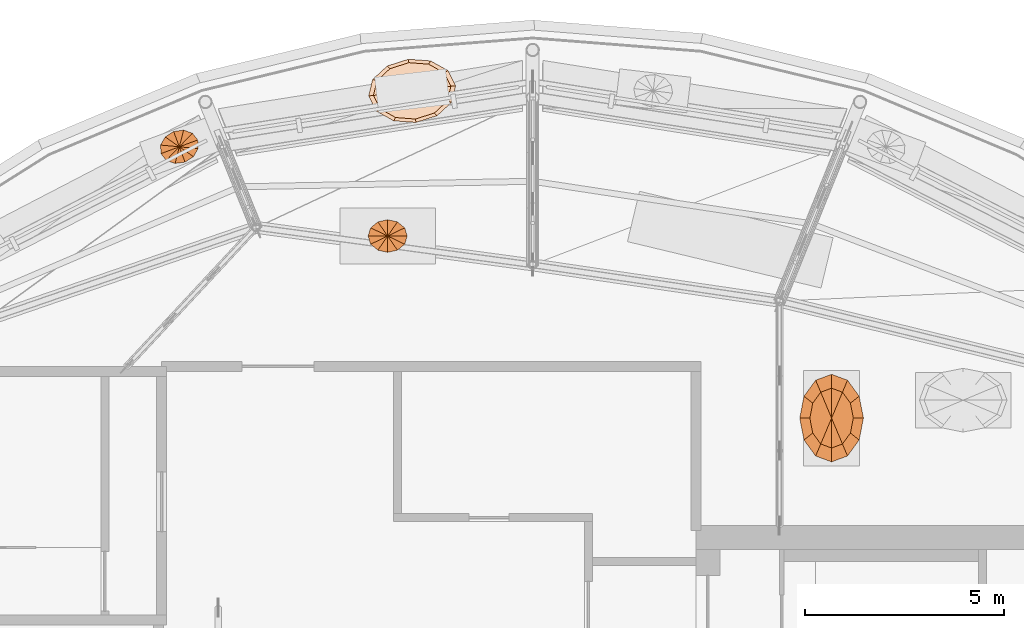
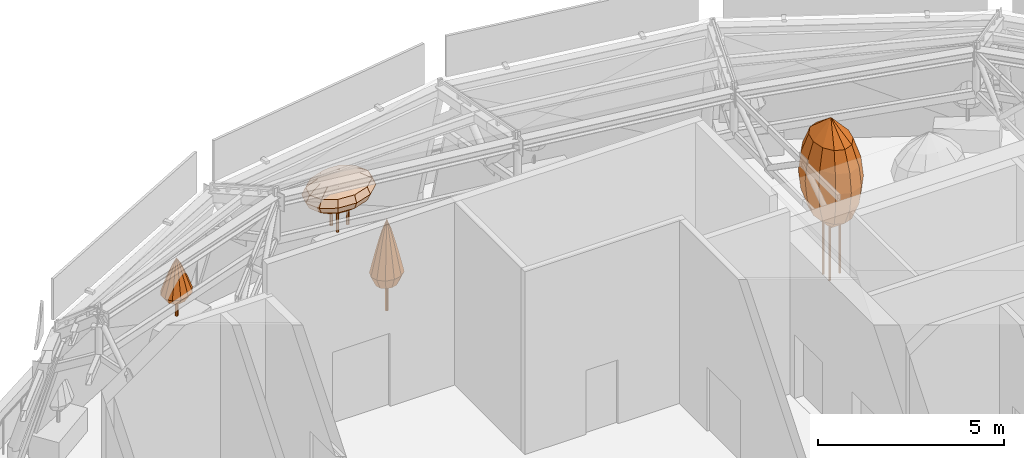
# One storey, part 38 of 40: 4 geographic elements.
"""IFC4 building model written with IfcOpenShell, lengths in metres."""

import ifcopenshell
import ifcopenshell.guid

model = None  # the IFC model being written
_history = None  # IfcOwnerHistory: only IFC2X3 demands one
_inside = {}  # id of a spatial element -> (the spatial element, [elements in it])
_under = {}  # id of a project, library or spatial element -> (it, [spatial elements below it])
_declared = {}  # id of a project -> (the project, [libraries it declares])
_typed = {}  # id of a type object -> (the type object, [elements of that type])
_made_of = {}  # id of a material, layer set ... -> (it, [elements and type objects made of it])


def new_model(schema):
    """Start an empty IFC model of exactly this schema.

    Asked for "IFC4X3", IfcOpenShell would pick the latest addendum, in which some entities
    have other attributes; the version numbers below select the first issue.
    IFC2X3 requires an IfcOwnerHistory on every rooted entity: one is made here for all.
    """
    global model, _history
    if schema == "IFC4X3":
        model = ifcopenshell.file(schema_version=(4, 3, 0, 0))
    else:
        model = ifcopenshell.file(schema=schema)
    _inside.clear()
    _under.clear()
    _declared.clear()
    _typed.clear()
    _made_of.clear()
    _history = None
    if model.schema == "IFC2X3":
        org = make("IfcOrganization", Name="unknown")
        user = make(
            "IfcPersonAndOrganization",
            ThePerson=make("IfcPerson", FamilyName="unknown"),
            TheOrganization=org,
        )
        app = make(
            "IfcApplication",
            ApplicationDeveloper=org,
            Version="unknown",
            ApplicationFullName="unknown",
            ApplicationIdentifier="unknown",
        )
        _history = make(
            "IfcOwnerHistory",
            OwningUser=user,
            OwningApplication=app,
            ChangeAction="ADDED",
            CreationDate=0,
        )
    return model


def make(cls, **values):
    """One entity of the class cls with the attributes given. An attribute that is None is left unset."""
    return model.create_entity(
        cls, **{name: value for name, value in values.items() if value is not None}
    )


def rooted(cls, **values):
    """An entity with a GlobalId (a new one), such as an element, a storey or a relation."""
    return make(cls, GlobalId=ifcopenshell.guid.new(), OwnerHistory=_history, **values)


def si_unit(unit_type, name, prefix=None):
    """IfcSIUnit, for example si_unit("LENGTHUNIT", "METRE", prefix="MILLI")."""
    return make("IfcSIUnit", UnitType=unit_type, Prefix=prefix, Name=name)


def assignment(units):
    """IfcUnitAssignment: the units of a project."""
    return None if units is None else make("IfcUnitAssignment", Units=units)


def point(xyz):
    """IfcCartesianPoint."""
    return None if xyz is None else make("IfcCartesianPoint", Coordinates=xyz)


def direction(xyz):
    """IfcDirection."""
    return None if xyz is None else make("IfcDirection", DirectionRatios=xyz)


def frame(location, z_axis=None, x_axis=None):
    """IfcAxis2Placement3D, a coordinate frame: its origin and axes. An axis left out is left unset."""
    return make(
        "IfcAxis2Placement3D",
        Location=point(location),
        Axis=direction(z_axis),
        RefDirection=direction(x_axis),
    )


def origin():
    """The frame at (0, 0, 0) with its axes left unset."""
    return frame((0.0, 0.0, 0.0))


def place(relative_to, where):
    """IfcLocalPlacement: puts the frame where relative to a parent placement (None: the world)."""
    return make(
        "IfcLocalPlacement", PlacementRelTo=relative_to, RelativePlacement=where
    )


def context(
    kind, dimensions, precision=None, world=None, true_north=None, identifier=None
):
    """IfcGeometricRepresentationContext, for example the 3D "Model" context."""
    return make(
        "IfcGeometricRepresentationContext",
        ContextIdentifier=identifier,
        ContextType=kind,
        CoordinateSpaceDimension=dimensions,
        Precision=precision,
        WorldCoordinateSystem=world,
        TrueNorth=true_north,
    )


def subcontext(parent, identifier, kind, view, scale=None):
    """IfcGeometricRepresentationSubContext, for example "Body" below "Model"."""
    return make(
        "IfcGeometricRepresentationSubContext",
        ContextIdentifier=identifier,
        ContextType=kind,
        ParentContext=parent,
        TargetScale=scale,
        TargetView=view,
    )


def project(units=None, contexts=None):
    """IfcProject with its units and contexts."""
    return rooted(
        "IfcProject",
        Name="project",
        RepresentationContexts=contexts,
        UnitsInContext=assignment(units),
    )


def spatial(cls, under=None, at=None, **own):
    """A site, building, storey or space (cls), placed at a placement, below another one or the project."""
    s = rooted(cls, ObjectPlacement=at, **own)
    if under is not None:
        _under.setdefault(under.id(), (under, []))[1].append(s)
    return s


def faces_of(points, faces, orient=None, outer=None):
    """IfcFace entities. A face is a list of loops; a loop is a list of indices into points, from 0.

    orient and outer hold one flag for each loop. By default every Orientation is true, the
    first loop of a face is its IfcFaceOuterBound and the others are IfcFaceBound.
    """
    made = []
    for i, loops in enumerate(faces):
        bounds = []
        for j, loop in enumerate(loops):
            is_outer = j == 0 if outer is None else outer[i][j]
            bounds.append(
                make(
                    "IfcFaceOuterBound" if is_outer else "IfcFaceBound",
                    Bound=make("IfcPolyLoop", Polygon=[points[k] for k in loop]),
                    Orientation=True if orient is None else orient[i][j],
                )
            )
        made.append(make("IfcFace", Bounds=bounds))
    return made


def faceted_brep(points, faces, orient=None, outer=None, voids=None):
    """IfcFacetedBrep: a solid bounded by flat faces; with voids (closed shells), ...WithVoids."""
    shared = [point(p) for p in points]
    hull = make("IfcClosedShell", CfsFaces=faces_of(shared, faces, orient, outer))
    if voids is None:
        return make("IfcFacetedBrep", Outer=hull)
    return make(
        "IfcFacetedBrepWithVoids",
        Outer=hull,
        Voids=[
            make(cls, CfsFaces=faces_of(shared, fs, o, b)) for cls, fs, o, b in voids
        ],
    )


def shape(context_of_items, identifier, shape_type, items):
    """IfcShapeRepresentation: the items that make up one representation, for example the "Body"."""
    return make(
        "IfcShapeRepresentation",
        ContextOfItems=context_of_items,
        RepresentationIdentifier=identifier,
        RepresentationType=shape_type,
        Items=items,
    )


def material(Name=None, Category=None):
    """IfcMaterial."""
    return make("IfcMaterial", Name=Name, Category=Category)


def constituent(of_material, Name=None, Category=None, fraction=None):
    """IfcMaterialConstituent: one of the materials an element consists of."""
    return make(
        "IfcMaterialConstituent",
        Name=Name,
        Material=of_material,
        Fraction=fraction,
        Category=Category,
    )


def constituent_set(constituents=None, Name=None):
    """IfcMaterialConstituentSet."""
    return make(
        "IfcMaterialConstituentSet", Name=Name, MaterialConstituents=constituents
    )


def made_of(thing, what):
    """Note that an element or type object is made of a material, layer set ...; save() writes the relation."""
    if what is not None:
        _made_of.setdefault(what.id(), (what, []))[1].append(thing)
    return thing


def type_object(cls, material=None, **own):
    """A type object (cls), such as IfcWallType, which elements share."""
    return made_of(rooted(cls, **own), material)


def element(
    cls,
    number,
    at=None,
    inside=None,
    cuts=None,
    type_object=None,
    material=None,
    context=None,
    identifier="Body",
    shape_type=None,
    held_by="IfcProductDefinitionShape",
    body=None,
    shapes=None,
    **own,
):
    """One element of the class cls, such as IfcWall. Its Tag is "e" and its number.

    at: its placement. inside: the storey or other place that contains it. cuts: it is an
    opening in that element (IfcRelVoidsElement). A single representation is given by context,
    identifier, shape_type and body (its items); several are given by shapes. held_by: the class
    of the entity that holds the representations. save() writes the other relations.
    """
    e = rooted(cls, Tag="e%d" % number, ObjectPlacement=at, **own)
    if body is not None:
        shapes = [shape(context, identifier, shape_type, body)]
    if shapes is not None:
        e.Representation = make(held_by, Representations=shapes)
    if inside is not None:
        _inside.setdefault(inside.id(), (inside, []))[1].append(e)
    if cuts is not None:
        rooted(
            "IfcRelVoidsElement", RelatingBuildingElement=cuts, RelatedOpeningElement=e
        )
    if type_object is not None:
        _typed.setdefault(type_object.id(), (type_object, []))[1].append(e)
    return made_of(e, material)


def aggregate(whole, parts):
    """IfcRelAggregates: a whole, such as a stair, and the parts it consists of."""
    return rooted("IfcRelAggregates", RelatingObject=whole, RelatedObjects=parts)


def save(model, path):
    """Write the relations noted so far, then the file.

    IfcRelAggregates (storeys below a building ...), IfcRelContainedInSpatialStructure (elements
    in a storey), IfcRelDefinesByType, IfcRelAssociatesMaterial and IfcRelDeclares: one each for
    every whole, place, type object, material and project.
    """
    for whole, parts in _under.values():
        aggregate(whole, parts)
    for where, things in _inside.values():
        rooted(
            "IfcRelContainedInSpatialStructure",
            RelatedElements=things,
            RelatingStructure=where,
        )
    for kind, things in _typed.values():
        rooted("IfcRelDefinesByType", RelatedObjects=things, RelatingType=kind)
    for what, things in _made_of.values():
        rooted("IfcRelAssociatesMaterial", RelatedObjects=things, RelatingMaterial=what)
    for by, libraries in _declared.values():
        rooted("IfcRelDeclares", RelatingContext=by, RelatedDefinitions=libraries)
    model.write(path)


model = new_model("IFC4")

# Units and contexts
model_context = context("Model", 3, precision=1e-05, world=origin(), true_north=direction((0.0, 1.0)))
body_context = subcontext(model_context, "Body", "Model", "MODEL_VIEW")
ifc_project = project(units=[si_unit("LENGTHUNIT", "METRE"), si_unit("AREAUNIT", "SQUARE_METRE"), si_unit("VOLUMEUNIT", "CUBIC_METRE"), si_unit("PLANEANGLEUNIT", "RADIAN"), si_unit("MASSUNIT", "GRAM", prefix="KILO")], contexts=[model_context])

# Site, building, storey
site_placement = place(None, origin())
site = spatial("IfcSite", under=ifc_project, at=site_placement, CompositionType="ELEMENT")
building_placement = place(site_placement, origin())
building = spatial("IfcBuilding", under=site, at=building_placement, Name="Taillehof Tower", CompositionType="ELEMENT")
storey_placement = place(building_placement, frame((0.0, 0.0, 275.199951171875)))
storey = spatial("IfcBuildingStorey", under=building, at=storey_placement, Name="L77", CompositionType="ELEMENT", Elevation=275.199951171875)

# Geographic elements
ifc_material_1 = material(Name="Tree bark", Category="timber")
ifc_constituent_1 = constituent(ifc_material_1, Name="Trunk", Category="timber")
ifc_material_2 = material(Name="Tree foliage")
ifc_constituent_2 = constituent(ifc_material_2, Name="Crown")
ifc_constituent_set_1 = constituent_set(constituents=[ifc_constituent_1, ifc_constituent_2], Name="Tree TR10 Scots pine standard")
geographic_element_type_1 = type_object("IfcGeographicElementType", Name="Tree TR10 Scots pine standard", PredefinedType="USERDEFINED", material=ifc_constituent_set_1)
geographic_element_1_placement = place(storey_placement, frame((-3.743896484375, 17.27490234375, 0.449951171875)))
element("IfcGeographicElement", 1, at=geographic_element_1_placement, inside=storey, type_object=geographic_element_type_1, Name="Tree TR10 Scots pine standard", ObjectType="TREE", PredefinedType="USERDEFINED", context=body_context, shape_type="Brep", body=[
    faceted_brep([(0.050048828125, 0.0, 0.0), (0.035400390625, 0.035400390625, 0.0), (0.035400390625, 0.035400390625, 1.635009765625), (0.050048828125, 0.0, 1.635009765625), (0.0, 0.050048828125, 0.0), (0.0, 0.050048828125, 1.635009765625), (-0.035400390625, 0.035400390625, 0.0), (-0.035400390625, 0.035400390625, 1.635009765625), (-0.050048828125, 0.0, 0.0), (-0.050048828125, 0.0, 1.635009765625), (-0.035400390625, -0.035400390625, 0.0), (-0.035400390625, -0.035400390625, 1.635009765625), (0.0, -0.050048828125, 0.0), (0.0, -0.050048828125, 1.635009765625), (0.035400390625, -0.035400390625, 0.0), (0.035400390625, -0.035400390625, 1.635009765625)], [[[0, 1, 2, 3]], [[1, 4, 5, 2]], [[4, 6, 7, 5]], [[6, 8, 9, 7]], [[8, 10, 11, 9]], [[10, 12, 13, 11]], [[12, 14, 15, 13]], [[14, 0, 3, 15]], [[14, 12, 10, 8, 6, 4, 1, 0]], [[3, 2, 5, 7, 9, 11, 13, 15]]]),
    faceted_brep([(-0.330078125, 0.0, 0.89990234375), (-0.285888671875, -0.137451171875, 0.89990234375), (-0.4267578125, -0.205322265625, 1.25), (-0.49267578125, 0.0, 1.25), (-0.1650390625, -0.238037109375, 0.89990234375), (-0.246337890625, -0.35546875, 1.25), (0.0, -0.27490234375, 0.89990234375), (0.0, -0.41064453125, 1.25), (0.1650390625, -0.238037109375, 0.89990234375), (0.246337890625, -0.35546875, 1.25), (0.285888671875, -0.137451171875, 0.89990234375), (0.4267578125, -0.205322265625, 1.25), (0.330078125, 0.0, 0.89990234375), (0.49267578125, 0.0, 1.25), (0.285888671875, 0.137451171875, 0.89990234375), (0.4267578125, 0.205322265625, 1.25), (0.1650390625, 0.238037109375, 0.89990234375), (0.246337890625, 0.35546875, 1.25), (0.0, 0.27490234375, 0.89990234375), (0.0, 0.41064453125, 1.25), (-0.1650390625, 0.238037109375, 0.89990234375), (-0.246337890625, 0.35546875, 1.25), (-0.285888671875, 0.137451171875, 0.89990234375), (-0.4267578125, 0.205322265625, 1.25), (-0.35693359375, -0.171630859375, 1.60009765625), (-0.412109375, 0.0, 1.60009765625), (-0.2060546875, -0.29736328125, 1.60009765625), (0.0, -0.343505859375, 1.60009765625), (0.2060546875, -0.29736328125, 1.60009765625), (0.35693359375, -0.171630859375, 1.60009765625), (0.412109375, 0.0, 1.60009765625), (0.35693359375, 0.171630859375, 1.60009765625), (0.2060546875, 0.29736328125, 1.60009765625), (0.0, 0.343505859375, 1.60009765625), (-0.2060546875, 0.29736328125, 1.60009765625), (-0.35693359375, 0.171630859375, 1.60009765625), (-0.283447265625, -0.136474609375, 1.949951171875), (-0.327392578125, 0.0, 1.949951171875), (-0.16357421875, -0.236328125, 1.949951171875), (0.0, -0.272705078125, 1.949951171875), (0.16357421875, -0.236328125, 1.949951171875), (0.283447265625, -0.136474609375, 1.949951171875), (0.327392578125, 0.0, 1.949951171875), (0.283447265625, 0.136474609375, 1.949951171875), (0.16357421875, 0.236328125, 1.949951171875), (0.0, 0.272705078125, 1.949951171875), (-0.16357421875, 0.236328125, 1.949951171875), (-0.283447265625, 0.136474609375, 1.949951171875), (-0.205078125, -0.0986328125, 2.300048828125), (-0.236572265625, 0.0, 2.300048828125), (-0.118408203125, -0.1708984375, 2.300048828125), (0.0, -0.197265625, 2.300048828125), (0.118408203125, -0.1708984375, 2.300048828125), (0.205078125, -0.0986328125, 2.300048828125), (0.236572265625, 0.0, 2.300048828125), (0.205078125, 0.0986328125, 2.300048828125), (0.118408203125, 0.1708984375, 2.300048828125), (0.0, 0.197265625, 2.300048828125), (-0.118408203125, 0.1708984375, 2.300048828125), (-0.205078125, 0.0986328125, 2.300048828125), (-0.11767578125, -0.056640625, 2.64990234375), (-0.135986328125, 0.0, 2.64990234375), (-0.06787109375, -0.09814453125, 2.64990234375), (0.0, -0.11328125, 2.64990234375), (0.06787109375, -0.09814453125, 2.64990234375), (0.11767578125, -0.056640625, 2.64990234375), (0.135986328125, 0.0, 2.64990234375), (0.11767578125, 0.056640625, 2.64990234375), (0.06787109375, 0.09814453125, 2.64990234375), (0.0, 0.11328125, 2.64990234375), (-0.06787109375, 0.09814453125, 2.64990234375), (-0.11767578125, 0.056640625, 2.64990234375), (0.0, 0.0, 3.0)], [[[0, 1, 2, 3]], [[1, 4, 5, 2]], [[4, 6, 7, 5]], [[6, 8, 9, 7]], [[8, 10, 11, 9]], [[10, 12, 13, 11]], [[12, 14, 15, 13]], [[14, 16, 17, 15]], [[16, 18, 19, 17]], [[18, 20, 21, 19]], [[20, 22, 23, 21]], [[22, 0, 3, 23]], [[3, 2, 24, 25]], [[2, 5, 26, 24]], [[5, 7, 27, 26]], [[7, 9, 28, 27]], [[9, 11, 29, 28]], [[11, 13, 30, 29]], [[13, 15, 31, 30]], [[15, 17, 32, 31]], [[17, 19, 33, 32]], [[19, 21, 34, 33]], [[21, 23, 35, 34]], [[23, 3, 25, 35]], [[25, 24, 36, 37]], [[24, 26, 38, 36]], [[26, 27, 39, 38]], [[27, 28, 40, 39]], [[28, 29, 41, 40]], [[29, 30, 42, 41]], [[30, 31, 43, 42]], [[31, 32, 44, 43]], [[32, 33, 45, 44]], [[33, 34, 46, 45]], [[34, 35, 47, 46]], [[35, 25, 37, 47]], [[37, 36, 48, 49]], [[36, 38, 50, 48]], [[38, 39, 51, 50]], [[39, 40, 52, 51]], [[40, 41, 53, 52]], [[41, 42, 54, 53]], [[42, 43, 55, 54]], [[43, 44, 56, 55]], [[44, 45, 57, 56]], [[45, 46, 58, 57]], [[46, 47, 59, 58]], [[47, 37, 49, 59]], [[49, 48, 60, 61]], [[48, 50, 62, 60]], [[50, 51, 63, 62]], [[51, 52, 64, 63]], [[52, 53, 65, 64]], [[53, 54, 66, 65]], [[54, 55, 67, 66]], [[55, 56, 68, 67]], [[56, 57, 69, 68]], [[57, 58, 70, 69]], [[58, 59, 71, 70]], [[59, 49, 61, 71]], [[61, 60, 72]], [[60, 62, 72]], [[62, 63, 72]], [[63, 64, 72]], [[64, 65, 72]], [[65, 66, 72]], [[66, 67, 72]], [[67, 68, 72]], [[68, 69, 72]], [[69, 70, 72]], [[70, 71, 72]], [[71, 61, 72]], [[22, 20, 18, 16, 14, 12, 10, 8, 6, 4, 1, 0]]]),
])
geographic_element_2_placement = place(storey_placement, frame((-8.978271484375, 19.5166015625, 0.75)))
element("IfcGeographicElement", 2, at=geographic_element_2_placement, inside=storey, type_object=geographic_element_type_1, Name="Tree TR10 Scots pine standard", ObjectType="TREE", PredefinedType="USERDEFINED", context=body_context, shape_type="Brep", body=[
    faceted_brep([(0.050048828125, 0.0, 0.0), (0.035400390625, 0.035400390625, 0.0), (0.035400390625, 0.035400390625, 1.035400390625), (0.050048828125, 0.0, 1.035400390625), (0.0, 0.050048828125, 0.0), (0.0, 0.050048828125, 1.035400390625), (-0.035400390625, 0.035400390625, 0.0), (-0.035400390625, 0.035400390625, 1.035400390625), (-0.050048828125, 0.0, 0.0), (-0.050048828125, 0.0, 1.035400390625), (-0.035400390625, -0.035400390625, 0.0), (-0.035400390625, -0.035400390625, 1.035400390625), (0.0, -0.050048828125, 0.0), (0.0, -0.050048828125, 1.035400390625), (0.035400390625, -0.035400390625, 0.0), (0.035400390625, -0.035400390625, 1.035400390625)], [[[0, 1, 2, 3]], [[1, 4, 5, 2]], [[4, 6, 7, 5]], [[6, 8, 9, 7]], [[8, 10, 11, 9]], [[10, 12, 13, 11]], [[12, 14, 15, 13]], [[14, 0, 3, 15]], [[14, 12, 10, 8, 6, 4, 1, 0]], [[3, 2, 5, 7, 9, 11, 13, 15]]]),
    faceted_brep([(-0.309326171875, -0.114990234375, 0.570068359375), (-0.219970703125, -0.228271484375, 0.570068359375), (-0.32861328125, -0.341064453125, 0.791748046875), (-0.4619140625, -0.17138671875, 0.791748046875), (-0.07177734375, -0.28076171875, 0.570068359375), (-0.107177734375, -0.4189453125, 0.791748046875), (0.095703125, -0.2578125, 0.570068359375), (0.142822265625, -0.384765625, 0.791748046875), (0.237548828125, -0.165771484375, 0.570068359375), (0.354736328125, -0.24755859375, 0.791748046875), (0.315673828125, -0.029296875, 0.570068359375), (0.471435546875, -0.0439453125, 0.791748046875), (0.309326171875, 0.114990234375, 0.570068359375), (0.4619140625, 0.17138671875, 0.791748046875), (0.219970703125, 0.228271484375, 0.570068359375), (0.32861328125, 0.341064453125, 0.791748046875), (0.07177734375, 0.28076171875, 0.570068359375), (0.107177734375, 0.4189453125, 0.791748046875), (-0.095703125, 0.2578125, 0.570068359375), (-0.142822265625, 0.384765625, 0.791748046875), (-0.237548828125, 0.165771484375, 0.570068359375), (-0.354736328125, 0.24755859375, 0.791748046875), (-0.315673828125, 0.029296875, 0.570068359375), (-0.471435546875, 0.0439453125, 0.791748046875), (-0.27490234375, -0.28515625, 1.013427734375), (-0.38623046875, -0.1435546875, 1.013427734375), (-0.089599609375, -0.3505859375, 1.013427734375), (0.11962890625, -0.322021484375, 1.013427734375), (0.296630859375, -0.20703125, 1.013427734375), (0.394287109375, -0.03662109375, 1.013427734375), (0.38623046875, 0.1435546875, 1.013427734375), (0.27490234375, 0.28515625, 1.013427734375), (0.089599609375, 0.3505859375, 1.013427734375), (-0.11962890625, 0.322021484375, 1.013427734375), (-0.296630859375, 0.20703125, 1.013427734375), (-0.394287109375, 0.03662109375, 1.013427734375), (-0.21826171875, -0.2265625, 1.235107421875), (-0.306884765625, -0.114013671875, 1.235107421875), (-0.0712890625, -0.278564453125, 1.235107421875), (0.094970703125, -0.255859375, 1.235107421875), (0.235595703125, -0.16455078125, 1.235107421875), (0.313232421875, -0.029052734375, 1.235107421875), (0.306884765625, 0.114013671875, 1.235107421875), (0.21826171875, 0.2265625, 1.235107421875), (0.0712890625, 0.278564453125, 1.235107421875), (-0.094970703125, 0.255859375, 1.235107421875), (-0.235595703125, 0.16455078125, 1.235107421875), (-0.313232421875, 0.029052734375, 1.235107421875), (-0.15771484375, -0.163818359375, 1.456787109375), (-0.221923828125, -0.08251953125, 1.456787109375), (-0.051513671875, -0.201416015625, 1.456787109375), (0.068603515625, -0.184814453125, 1.456787109375), (0.17041015625, -0.118896484375, 1.456787109375), (0.2265625, -0.02099609375, 1.456787109375), (0.221923828125, 0.08251953125, 1.456787109375), (0.15771484375, 0.163818359375, 1.456787109375), (0.051513671875, 0.201416015625, 1.456787109375), (-0.068603515625, 0.184814453125, 1.456787109375), (-0.17041015625, 0.118896484375, 1.456787109375), (-0.2265625, 0.02099609375, 1.456787109375), (-0.090576171875, -0.093994140625, 1.67822265625), (-0.12744140625, -0.04736328125, 1.67822265625), (-0.029541015625, -0.11572265625, 1.67822265625), (0.03955078125, -0.106201171875, 1.67822265625), (0.097900390625, -0.068359375, 1.67822265625), (0.130126953125, -0.01220703125, 1.67822265625), (0.12744140625, 0.04736328125, 1.67822265625), (0.090576171875, 0.093994140625, 1.67822265625), (0.029541015625, 0.11572265625, 1.67822265625), (-0.03955078125, 0.106201171875, 1.67822265625), (-0.097900390625, 0.068359375, 1.67822265625), (-0.130126953125, 0.01220703125, 1.67822265625), (0.0, 0.0, 1.89990234375)], [[[0, 1, 2, 3]], [[1, 4, 5, 2]], [[4, 6, 7, 5]], [[6, 8, 9, 7]], [[8, 10, 11, 9]], [[10, 12, 13, 11]], [[12, 14, 15, 13]], [[14, 16, 17, 15]], [[16, 18, 19, 17]], [[18, 20, 21, 19]], [[20, 22, 23, 21]], [[22, 0, 3, 23]], [[3, 2, 24, 25]], [[2, 5, 26, 24]], [[5, 7, 27, 26]], [[7, 9, 28, 27]], [[9, 11, 29, 28]], [[11, 13, 30, 29]], [[13, 15, 31, 30]], [[15, 17, 32, 31]], [[17, 19, 33, 32]], [[19, 21, 34, 33]], [[21, 23, 35, 34]], [[23, 3, 25, 35]], [[25, 24, 36, 37]], [[24, 26, 38, 36]], [[26, 27, 39, 38]], [[27, 28, 40, 39]], [[28, 29, 41, 40]], [[29, 30, 42, 41]], [[30, 31, 43, 42]], [[31, 32, 44, 43]], [[32, 33, 45, 44]], [[33, 34, 46, 45]], [[34, 35, 47, 46]], [[35, 25, 37, 47]], [[37, 36, 48, 49]], [[36, 38, 50, 48]], [[38, 39, 51, 50]], [[39, 40, 52, 51]], [[40, 41, 53, 52]], [[41, 42, 54, 53]], [[42, 43, 55, 54]], [[43, 44, 56, 55]], [[44, 45, 57, 56]], [[45, 46, 58, 57]], [[46, 47, 59, 58]], [[47, 37, 49, 59]], [[49, 48, 60, 61]], [[48, 50, 62, 60]], [[50, 51, 63, 62]], [[51, 52, 64, 63]], [[52, 53, 65, 64]], [[53, 54, 66, 65]], [[54, 55, 67, 66]], [[55, 56, 68, 67]], [[56, 57, 69, 68]], [[57, 58, 70, 69]], [[58, 59, 71, 70]], [[59, 49, 61, 71]], [[61, 60, 72]], [[60, 62, 72]], [[62, 63, 72]], [[63, 64, 72]], [[64, 65, 72]], [[65, 66, 72]], [[66, 67, 72]], [[67, 68, 72]], [[68, 69, 72]], [[69, 70, 72]], [[70, 71, 72]], [[71, 61, 72]], [[22, 20, 18, 16, 14, 12, 10, 8, 6, 4, 1, 0]]]),
])
ifc_material_3 = material(Name="Tree bark", Category="timber")
ifc_constituent_3 = constituent(ifc_material_3, Name="Trunk", Category="timber")
ifc_material_4 = material(Name="Tree foliage")
ifc_constituent_4 = constituent(ifc_material_4, Name="Crown")
ifc_constituent_set_2 = constituent_set(constituents=[ifc_constituent_3, ifc_constituent_4], Name="Tree TR7 Himalayan birch")
geographic_element_type_2 = type_object("IfcGeographicElementType", Name="Tree TR7 Himalayan birch", PredefinedType="USERDEFINED", material=ifc_constituent_set_2)
geographic_element_3_placement = place(storey_placement, frame((7.409912109375, 12.699951171875, 0.449951171875)))
element("IfcGeographicElement", 3, at=geographic_element_3_placement, inside=storey, type_object=geographic_element_type_2, Name="Tree TR7 Himalayan birch", ObjectType="TREE", PredefinedType="USERDEFINED", context=body_context, shape_type="Brep", body=[
    faceted_brep([(0.3134765625, 0.0, 0.0), (0.30224609375, 0.027099609375, 0.0), (0.30224609375, 0.027099609375, 2.833984375), (0.3134765625, 0.0, 2.833984375), (0.27490234375, 0.03857421875, 0.0), (0.27490234375, 0.03857421875, 2.833984375), (0.247802734375, 0.027099609375, 0.0), (0.247802734375, 0.027099609375, 2.833984375), (0.236572265625, 0.0, 0.0), (0.236572265625, 0.0, 2.833984375), (0.247802734375, -0.027099609375, 0.0), (0.247802734375, -0.027099609375, 2.833984375), (0.27490234375, -0.03857421875, 0.0), (0.27490234375, -0.03857421875, 2.833984375), (0.30224609375, -0.027099609375, 0.0), (0.30224609375, -0.027099609375, 2.833984375)], [[[0, 1, 2, 3]], [[1, 4, 5, 2]], [[4, 6, 7, 5]], [[6, 8, 9, 7]], [[8, 10, 11, 9]], [[10, 12, 13, 11]], [[12, 14, 15, 13]], [[14, 0, 3, 15]], [[14, 12, 10, 8, 6, 4, 1, 0]], [[3, 2, 5, 7, 9, 11, 13, 15]]]),
    faceted_brep([(-0.09912109375, 0.173095703125, 0.0), (-0.1103515625, 0.200439453125, 0.0), (-0.1103515625, 0.200439453125, 2.833984375), (-0.09912109375, 0.173095703125, 2.833984375), (-0.137451171875, 0.211669921875, 0.0), (-0.137451171875, 0.211669921875, 2.833984375), (-0.164794921875, 0.200439453125, 0.0), (-0.164794921875, 0.200439453125, 2.833984375), (-0.176025390625, 0.173095703125, 0.0), (-0.176025390625, 0.173095703125, 2.833984375), (-0.164794921875, 0.14599609375, 0.0), (-0.164794921875, 0.14599609375, 2.833984375), (-0.137451171875, 0.134765625, 0.0), (-0.137451171875, 0.134765625, 2.833984375), (-0.1103515625, 0.14599609375, 0.0), (-0.1103515625, 0.14599609375, 2.833984375)], [[[0, 1, 2, 3]], [[1, 4, 5, 2]], [[4, 6, 7, 5]], [[6, 8, 9, 7]], [[8, 10, 11, 9]], [[10, 12, 13, 11]], [[12, 14, 15, 13]], [[14, 0, 3, 15]], [[14, 12, 10, 8, 6, 4, 1, 0]], [[3, 2, 5, 7, 9, 11, 13, 15]]]),
    faceted_brep([(-0.09912109375, -0.173095703125, 0.0), (-0.1103515625, -0.14599609375, 0.0), (-0.1103515625, -0.14599609375, 2.833984375), (-0.09912109375, -0.173095703125, 2.833984375), (-0.137451171875, -0.134765625, 0.0), (-0.137451171875, -0.134765625, 2.833984375), (-0.164794921875, -0.14599609375, 0.0), (-0.164794921875, -0.14599609375, 2.833984375), (-0.176025390625, -0.173095703125, 0.0), (-0.176025390625, -0.173095703125, 2.833984375), (-0.164794921875, -0.200439453125, 0.0), (-0.164794921875, -0.200439453125, 2.833984375), (-0.137451171875, -0.211669921875, 0.0), (-0.137451171875, -0.211669921875, 2.833984375), (-0.1103515625, -0.200439453125, 0.0), (-0.1103515625, -0.200439453125, 2.833984375)], [[[0, 1, 2, 3]], [[1, 4, 5, 2]], [[4, 6, 7, 5]], [[6, 8, 9, 7]], [[8, 10, 11, 9]], [[10, 12, 13, 11]], [[12, 14, 15, 13]], [[14, 0, 3, 15]], [[14, 12, 10, 8, 6, 4, 1, 0]], [[3, 2, 5, 7, 9, 11, 13, 15]]]),
    faceted_brep([(0.0, 0.0, 1.56005859375), (-0.273193359375, 0.650634765625, 2.166748046875), (0.0, 0.751220703125, 2.166748046875), (-0.47314453125, 0.375732421875, 2.166748046875), (-0.54638671875, 0.0, 2.166748046875), (-0.47314453125, -0.375732421875, 2.166748046875), (-0.273193359375, -0.650634765625, 2.166748046875), (0.0, -0.751220703125, 2.166748046875), (0.273193359375, -0.650634765625, 2.166748046875), (0.47314453125, -0.375732421875, 2.166748046875), (0.54638671875, 0.0, 2.166748046875), (0.47314453125, 0.375732421875, 2.166748046875), (0.273193359375, 0.650634765625, 2.166748046875), (-0.36962890625, 0.880126953125, 2.7734375), (0.0, 1.016357421875, 2.7734375), (-0.64013671875, 0.508056640625, 2.7734375), (-0.7392578125, 0.0, 2.7734375), (-0.64013671875, -0.508056640625, 2.7734375), (-0.36962890625, -0.880126953125, 2.7734375), (0.0, -1.016357421875, 2.7734375), (0.36962890625, -0.880126953125, 2.7734375), (0.64013671875, -0.508056640625, 2.7734375), (0.7392578125, 0.0, 2.7734375), (0.64013671875, 0.508056640625, 2.7734375), (0.36962890625, 0.880126953125, 2.7734375), (-0.39990234375, 0.95263671875, 3.3798828125), (0.0, 1.10009765625, 3.3798828125), (-0.69287109375, 0.550048828125, 3.3798828125), (-0.800048828125, 0.0, 3.3798828125), (-0.69287109375, -0.550048828125, 3.3798828125), (-0.39990234375, -0.95263671875, 3.3798828125), (0.0, -1.10009765625, 3.3798828125), (0.39990234375, -0.95263671875, 3.3798828125), (0.69287109375, -0.550048828125, 3.3798828125), (0.800048828125, 0.0, 3.3798828125), (0.69287109375, 0.550048828125, 3.3798828125), (0.39990234375, 0.95263671875, 3.3798828125), (-0.36962890625, 0.880126953125, 3.986572265625), (0.0, 1.016357421875, 3.986572265625), (-0.64013671875, 0.508056640625, 3.986572265625), (-0.7392578125, 0.0, 3.986572265625), (-0.64013671875, -0.508056640625, 3.986572265625), (-0.36962890625, -0.880126953125, 3.986572265625), (0.0, -1.016357421875, 3.986572265625), (0.36962890625, -0.880126953125, 3.986572265625), (0.64013671875, -0.508056640625, 3.986572265625), (0.7392578125, 0.0, 3.986572265625), (0.64013671875, 0.508056640625, 3.986572265625), (0.36962890625, 0.880126953125, 3.986572265625), (-0.273193359375, 0.650634765625, 4.59326171875), (0.0, 0.751220703125, 4.59326171875), (-0.47314453125, 0.375732421875, 4.59326171875), (-0.54638671875, 0.0, 4.59326171875), (-0.47314453125, -0.375732421875, 4.59326171875), (-0.273193359375, -0.650634765625, 4.59326171875), (0.0, -0.751220703125, 4.59326171875), (0.273193359375, -0.650634765625, 4.59326171875), (0.47314453125, -0.375732421875, 4.59326171875), (0.54638671875, 0.0, 4.59326171875), (0.47314453125, 0.375732421875, 4.59326171875), (0.273193359375, 0.650634765625, 4.59326171875), (0.0, 0.0, 5.199951171875)], [[[0, 1, 2]], [[0, 3, 1]], [[0, 4, 3]], [[0, 5, 4]], [[0, 6, 5]], [[0, 7, 6]], [[0, 8, 7]], [[0, 9, 8]], [[0, 10, 9]], [[0, 11, 10]], [[0, 12, 11]], [[0, 2, 12]], [[2, 1, 13, 14]], [[1, 3, 15, 13]], [[3, 4, 16, 15]], [[4, 5, 17, 16]], [[5, 6, 18, 17]], [[6, 7, 19, 18]], [[7, 8, 20, 19]], [[8, 9, 21, 20]], [[9, 10, 22, 21]], [[10, 11, 23, 22]], [[11, 12, 24, 23]], [[12, 2, 14, 24]], [[14, 13, 25, 26]], [[13, 15, 27, 25]], [[15, 16, 28, 27]], [[16, 17, 29, 28]], [[17, 18, 30, 29]], [[18, 19, 31, 30]], [[19, 20, 32, 31]], [[20, 21, 33, 32]], [[21, 22, 34, 33]], [[22, 23, 35, 34]], [[23, 24, 36, 35]], [[24, 14, 26, 36]], [[26, 25, 37, 38]], [[25, 27, 39, 37]], [[27, 28, 40, 39]], [[28, 29, 41, 40]], [[29, 30, 42, 41]], [[30, 31, 43, 42]], [[31, 32, 44, 43]], [[32, 33, 45, 44]], [[33, 34, 46, 45]], [[34, 35, 47, 46]], [[35, 36, 48, 47]], [[36, 26, 38, 48]], [[38, 37, 49, 50]], [[37, 39, 51, 49]], [[39, 40, 52, 51]], [[40, 41, 53, 52]], [[41, 42, 54, 53]], [[42, 43, 55, 54]], [[43, 44, 56, 55]], [[44, 45, 57, 56]], [[45, 46, 58, 57]], [[46, 47, 59, 58]], [[47, 48, 60, 59]], [[48, 38, 50, 60]], [[50, 49, 61]], [[49, 51, 61]], [[51, 52, 61]], [[52, 53, 61]], [[53, 54, 61]], [[54, 55, 61]], [[55, 56, 61]], [[56, 57, 61]], [[57, 58, 61]], [[58, 59, 61]], [[59, 60, 61]], [[60, 50, 61]]]),
])
ifc_material_5 = material(Name="Tree bark", Category="timber")
ifc_constituent_5 = constituent(ifc_material_5, Name="Trunk", Category="timber")
ifc_material_6 = material(Name="Tree foliage")
ifc_constituent_6 = constituent(ifc_material_6, Name="Crown")
ifc_constituent_set_3 = constituent_set(constituents=[ifc_constituent_5, ifc_constituent_6], Name="Tree TR9 Multi-stem hawthorn")
geographic_element_type_3 = type_object("IfcGeographicElementType", Name="Tree TR9 Multi-stem hawthorn", PredefinedType="USERDEFINED", material=ifc_constituent_set_3)
geographic_element_4_placement = place(storey_placement, frame((-3.128173828125, 20.922119140625, 0.75)))
element("IfcGeographicElement", 4, at=geographic_element_4_placement, inside=storey, type_object=geographic_element_type_3, Name="Tree TR9 Multi-stem hawthorn", ObjectType="TREE", PredefinedType="USERDEFINED", context=body_context, shape_type="Brep", body=[
    faceted_brep([(0.31982421875, 0.0, 0.0), (0.306640625, 0.03173828125, 0.0), (0.306640625, 0.03173828125, 1.035400390625), (0.31982421875, 0.0, 1.035400390625), (0.27490234375, 0.044921875, 0.0), (0.27490234375, 0.044921875, 1.035400390625), (0.2431640625, 0.03173828125, 0.0), (0.2431640625, 0.03173828125, 1.035400390625), (0.22998046875, 0.0, 0.0), (0.22998046875, 0.0, 1.035400390625), (0.2431640625, -0.03173828125, 0.0), (0.2431640625, -0.03173828125, 1.035400390625), (0.27490234375, -0.044921875, 0.0), (0.27490234375, -0.044921875, 1.035400390625), (0.306640625, -0.03173828125, 0.0), (0.306640625, -0.03173828125, 1.035400390625)], [[[0, 1, 2, 3]], [[1, 4, 5, 2]], [[4, 6, 7, 5]], [[6, 8, 9, 7]], [[8, 10, 11, 9]], [[10, 12, 13, 11]], [[12, 14, 15, 13]], [[14, 0, 3, 15]], [[14, 12, 10, 8, 6, 4, 1, 0]], [[3, 2, 5, 7, 9, 11, 13, 15]]]),
    faceted_brep([(-0.092529296875, 0.173095703125, 0.0), (-0.105712890625, 0.205078125, 0.0), (-0.105712890625, 0.205078125, 1.035400390625), (-0.092529296875, 0.173095703125, 1.035400390625), (-0.137451171875, 0.218017578125, 0.0), (-0.137451171875, 0.218017578125, 1.035400390625), (-0.169189453125, 0.205078125, 0.0), (-0.169189453125, 0.205078125, 1.035400390625), (-0.182373046875, 0.173095703125, 0.0), (-0.182373046875, 0.173095703125, 1.035400390625), (-0.169189453125, 0.141357421875, 0.0), (-0.169189453125, 0.141357421875, 1.035400390625), (-0.137451171875, 0.12841796875, 0.0), (-0.137451171875, 0.12841796875, 1.035400390625), (-0.105712890625, 0.141357421875, 0.0), (-0.105712890625, 0.141357421875, 1.035400390625)], [[[0, 1, 2, 3]], [[1, 4, 5, 2]], [[4, 6, 7, 5]], [[6, 8, 9, 7]], [[8, 10, 11, 9]], [[10, 12, 13, 11]], [[12, 14, 15, 13]], [[14, 0, 3, 15]], [[14, 12, 10, 8, 6, 4, 1, 0]], [[3, 2, 5, 7, 9, 11, 13, 15]]]),
    faceted_brep([(-0.092529296875, -0.173095703125, 0.0), (-0.105712890625, -0.141357421875, 0.0), (-0.105712890625, -0.141357421875, 1.035400390625), (-0.092529296875, -0.173095703125, 1.035400390625), (-0.137451171875, -0.12841796875, 0.0), (-0.137451171875, -0.12841796875, 1.035400390625), (-0.169189453125, -0.141357421875, 0.0), (-0.169189453125, -0.141357421875, 1.035400390625), (-0.182373046875, -0.173095703125, 0.0), (-0.182373046875, -0.173095703125, 1.035400390625), (-0.169189453125, -0.205078125, 0.0), (-0.169189453125, -0.205078125, 1.035400390625), (-0.137451171875, -0.218017578125, 0.0), (-0.137451171875, -0.218017578125, 1.035400390625), (-0.105712890625, -0.205078125, 0.0), (-0.105712890625, -0.205078125, 1.035400390625)], [[[0, 1, 2, 3]], [[1, 4, 5, 2]], [[4, 6, 7, 5]], [[6, 8, 9, 7]], [[8, 10, 11, 9]], [[10, 12, 13, 11]], [[12, 14, 15, 13]], [[14, 0, 3, 15]], [[14, 12, 10, 8, 6, 4, 1, 0]], [[3, 2, 5, 7, 9, 11, 13, 15]]]),
    faceted_brep([(0.0, 0.0, 0.570068359375), (-0.516357421875, -0.292236328125, 0.791748046875), (-0.62744140625, -0.073974609375, 0.791748046875), (-0.26708984375, -0.43212890625, 0.791748046875), (0.053955078125, -0.456298828125, 0.791748046875), (0.3603515625, -0.358154296875, 0.791748046875), (0.5703125, -0.1640625, 0.791748046875), (0.62744140625, 0.073974609375, 0.791748046875), (0.516357421875, 0.292236328125, 0.791748046875), (0.26708984375, 0.43212890625, 0.791748046875), (-0.053955078125, 0.456298828125, 0.791748046875), (-0.3603515625, 0.358154296875, 0.791748046875), (-0.5703125, 0.1640625, 0.791748046875), (-0.801513671875, -0.45361328125, 1.013427734375), (-0.9736328125, -0.114990234375, 1.013427734375), (-0.41455078125, -0.670654296875, 1.013427734375), (0.08349609375, -0.7080078125, 1.013427734375), (0.559326171875, -0.555908203125, 1.013427734375), (0.885009765625, -0.254638671875, 1.013427734375), (0.9736328125, 0.114990234375, 1.013427734375), (0.801513671875, 0.45361328125, 1.013427734375), (0.41455078125, 0.670654296875, 1.013427734375), (-0.08349609375, 0.7080078125, 1.013427734375), (-0.559326171875, 0.555908203125, 1.013427734375), (-0.885009765625, 0.254638671875, 1.013427734375), (-0.899169921875, -0.509033203125, 1.235107421875), (-1.092529296875, -0.12890625, 1.235107421875), (-0.465087890625, -0.75244140625, 1.235107421875), (0.09375, -0.79443359375, 1.235107421875), (0.62744140625, -0.62353515625, 1.235107421875), (0.992919921875, -0.28564453125, 1.235107421875), (1.092529296875, 0.12890625, 1.235107421875), (0.899169921875, 0.509033203125, 1.235107421875), (0.465087890625, 0.75244140625, 1.235107421875), (-0.09375, 0.79443359375, 1.235107421875), (-0.62744140625, 0.62353515625, 1.235107421875), (-0.992919921875, 0.28564453125, 1.235107421875), (-0.801513671875, -0.45361328125, 1.456787109375), (-0.9736328125, -0.114990234375, 1.456787109375), (-0.41455078125, -0.670654296875, 1.456787109375), (0.08349609375, -0.7080078125, 1.456787109375), (0.559326171875, -0.555908203125, 1.456787109375), (0.885009765625, -0.254638671875, 1.456787109375), (0.9736328125, 0.114990234375, 1.456787109375), (0.801513671875, 0.45361328125, 1.456787109375), (0.41455078125, 0.670654296875, 1.456787109375), (-0.08349609375, 0.7080078125, 1.456787109375), (-0.559326171875, 0.555908203125, 1.456787109375), (-0.885009765625, 0.254638671875, 1.456787109375), (-0.516357421875, -0.292236328125, 1.67822265625), (-0.62744140625, -0.073974609375, 1.67822265625), (-0.26708984375, -0.43212890625, 1.67822265625), (0.053955078125, -0.456298828125, 1.67822265625), (0.3603515625, -0.358154296875, 1.67822265625), (0.5703125, -0.1640625, 1.67822265625), (0.62744140625, 0.073974609375, 1.67822265625), (0.516357421875, 0.292236328125, 1.67822265625), (0.26708984375, 0.43212890625, 1.67822265625), (-0.053955078125, 0.456298828125, 1.67822265625), (-0.3603515625, 0.358154296875, 1.67822265625), (-0.5703125, 0.1640625, 1.67822265625), (0.0, 0.0, 1.89990234375)], [[[0, 1, 2]], [[0, 3, 1]], [[0, 4, 3]], [[0, 5, 4]], [[0, 6, 5]], [[0, 7, 6]], [[0, 8, 7]], [[0, 9, 8]], [[0, 10, 9]], [[0, 11, 10]], [[0, 12, 11]], [[0, 2, 12]], [[2, 1, 13, 14]], [[1, 3, 15, 13]], [[3, 4, 16, 15]], [[4, 5, 17, 16]], [[5, 6, 18, 17]], [[6, 7, 19, 18]], [[7, 8, 20, 19]], [[8, 9, 21, 20]], [[9, 10, 22, 21]], [[10, 11, 23, 22]], [[11, 12, 24, 23]], [[12, 2, 14, 24]], [[14, 13, 25, 26]], [[13, 15, 27, 25]], [[15, 16, 28, 27]], [[16, 17, 29, 28]], [[17, 18, 30, 29]], [[18, 19, 31, 30]], [[19, 20, 32, 31]], [[20, 21, 33, 32]], [[21, 22, 34, 33]], [[22, 23, 35, 34]], [[23, 24, 36, 35]], [[24, 14, 26, 36]], [[26, 25, 37, 38]], [[25, 27, 39, 37]], [[27, 28, 40, 39]], [[28, 29, 41, 40]], [[29, 30, 42, 41]], [[30, 31, 43, 42]], [[31, 32, 44, 43]], [[32, 33, 45, 44]], [[33, 34, 46, 45]], [[34, 35, 47, 46]], [[35, 36, 48, 47]], [[36, 26, 38, 48]], [[38, 37, 49, 50]], [[37, 39, 51, 49]], [[39, 40, 52, 51]], [[40, 41, 53, 52]], [[41, 42, 54, 53]], [[42, 43, 55, 54]], [[43, 44, 56, 55]], [[44, 45, 57, 56]], [[45, 46, 58, 57]], [[46, 47, 59, 58]], [[47, 48, 60, 59]], [[48, 38, 50, 60]], [[50, 49, 61]], [[49, 51, 61]], [[51, 52, 61]], [[52, 53, 61]], [[53, 54, 61]], [[54, 55, 61]], [[55, 56, 61]], [[56, 57, 61]], [[57, 58, 61]], [[58, 59, 61]], [[59, 60, 61]], [[60, 50, 61]]]),
])

save(model, "model.ifc")
